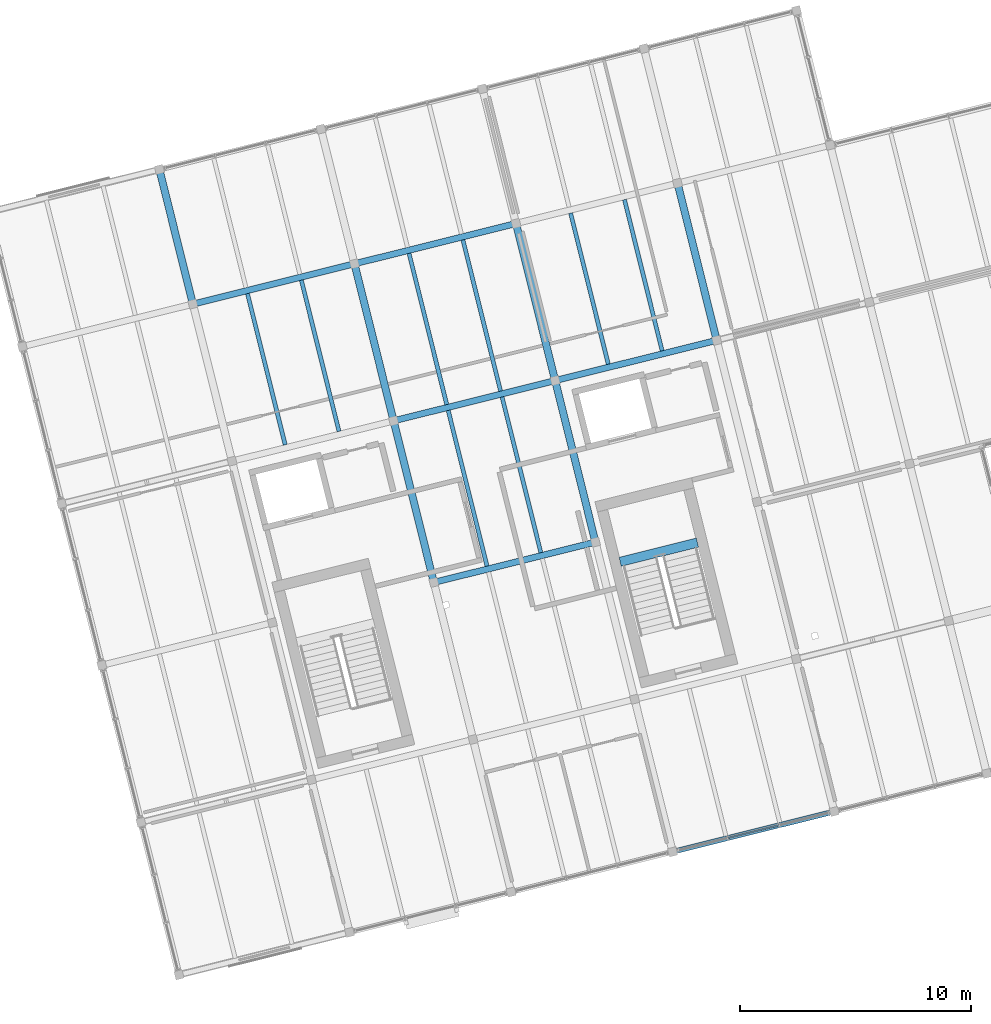
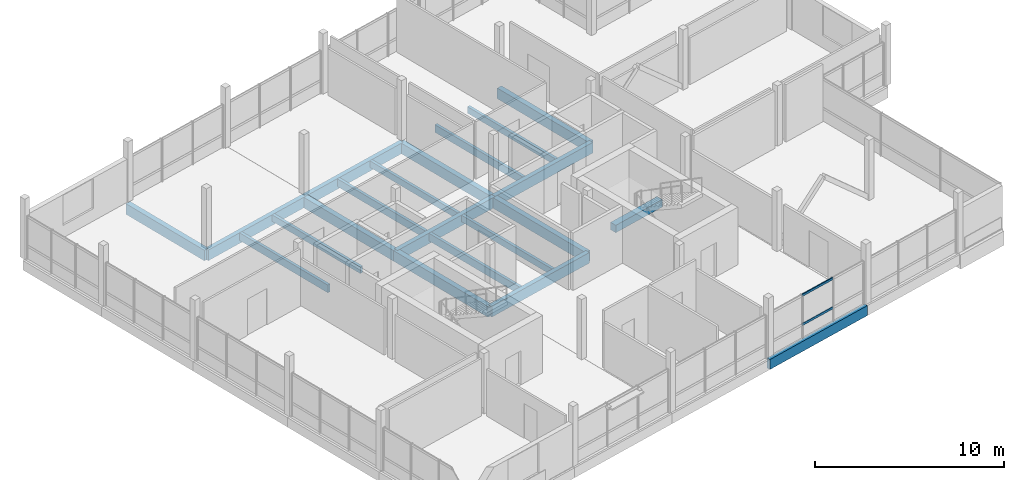
# One storey, part 10 of 28: 21 beams, 2 members, 1 element without a shape of its own.
"""IFC4 building model written with IfcOpenShell, lengths in metres."""

from ifc_helpers import new_model, si_unit, direction, frame, origin, origin_2d, place, context, subcontext, project, spatial, rectangle, hollow_rectangle, extrude, material, layer, layer_set, material_profile, profile_set, type_object, element, aggregate, save


model = new_model("IFC4")

# Units and contexts
model_context = context("Model", 3, precision=1e-05, world=origin(), true_north=direction((0.0, 1.0)))
body_context = subcontext(model_context, "Body", "Model", "MODEL_VIEW")
ifc_project = project(units=[si_unit("LENGTHUNIT", "METRE"), si_unit("AREAUNIT", "SQUARE_METRE"), si_unit("VOLUMEUNIT", "CUBIC_METRE"), si_unit("PLANEANGLEUNIT", "RADIAN"), si_unit("MASSUNIT", "GRAM", prefix="KILO")], contexts=[model_context])

# Site, building, storey
site_placement = place(None, origin())
site = spatial("IfcSite", under=ifc_project, at=site_placement, CompositionType="ELEMENT")
building_placement = place(site_placement, origin())
building = spatial("IfcBuilding", under=site, at=building_placement, Name="Meriwether Solvik Hall", CompositionType="ELEMENT")
storey_placement = place(building_placement, frame((0.0, 0.0, 37.800048828125)))
storey = spatial("IfcBuildingStorey", under=building, at=storey_placement, Name="L09", CompositionType="ELEMENT", Elevation=37.800048828125)

# Beams
ifc_material_1 = material(Name="Glulam Douglas-Fir 24F-V8 GL28h", Category="wood")
ifc_material_profile_1 = material_profile(ifc_material_1, rectangle(XDim=0.221923828125, YDim=0.64501953125, at=origin_2d()), Name="GLB-222X645")
ifc_profile_set_1 = profile_set([ifc_material_profile_1], Name="Glulam Douglas-Fir 24F-V8 GL28h")
beam_type_1 = type_object("IfcBeamType", Name="BM-GL-222X645", PredefinedType="SPANDREL", material=ifc_profile_set_1)
beam_1_placement = place(storey_placement, frame((89.946533203125, 46.522216796875, -0.50244140625), z_axis=(0.970291911955, 0.241937193493, 0.0), x_axis=(-0.241937193493, 0.970291911955, 0.0)))
element("IfcBeam", 1, at=beam_1_placement, inside=storey, type_object=beam_type_1, Name="Tower Girder TA:T4-T5 (L09)", PredefinedType="SPANDREL", context=body_context, shape_type="SweptSolid", body=[
    extrude(rectangle(XDim=0.221923828125, YDim=0.64501953125, at=origin_2d()), origin(), (0.0, 0.0, 1.0), 7.199951171875),
])
ifc_material_2 = material(Name="Glulam Douglas-Fir 24F-V8 GL28h", Category="wood")
ifc_material_profile_2 = material_profile(ifc_material_2, rectangle(XDim=0.27294921875, YDim=0.68505859375, at=origin_2d()), Name="GLB-273X685")
ifc_profile_set_2 = profile_set([ifc_material_profile_2], Name="Glulam Douglas-Fir 24F-V8 GL28h")
beam_type_2 = type_object("IfcBeamType", Name="BM-GL-273X685", PredefinedType="BEAM", material=ifc_profile_set_2)
for number, where, z_axis, x_axis, name in (
    (2, (79.621826171875, 58.17041015625, -0.5224609375), (0.970291911955, 0.241937193493, 0.0), (-0.241937193493, 0.970291911955, 0.0), "Tower Girder TC:T3-T4 (L09)"),
    (3, (77.880126953125, 65.15673828125, -0.5224609375), (0.970299871507, 0.241905269381, 0.0), (-0.241905269381, 0.970299871507, 0.0), "Tower Girder TD:T3-T4 (L09)"),
    (4, (84.8662109375, 66.8984375, -0.5224609375), (0.970291911955, 0.241937193493, 0.0), (-0.241937193493, 0.970291911955, 0.0), "Tower Girder TD:T4-T5 (L09)"),
    (5, (69.200439453125, 70.206787109375, -0.5224609375), (0.970291911955, 0.241937193493, 0.0), (-0.241937193493, 0.970291911955, 0.0), "Tower Girder TE:T2-T3 (L09)"),
    (6, (76.1865234375, 71.94873046875, -0.5224609375), (0.970291911955, 0.241937193493, 0.0), (-0.241937193493, 0.970291911955, 0.0), "Tower Girder TE:T3-T4 (L09)"),
):
    element("IfcBeam", number, at=place(storey_placement, frame(where, z_axis=z_axis, x_axis=x_axis)), inside=storey, type_object=beam_type_2, Name=name, PredefinedType="BEAM", context=body_context, shape_type="SweptSolid", body=[
        extrude(rectangle(XDim=0.27294921875, YDim=0.68505859375, at=origin_2d()), origin(), (0.0, 0.0, 1.0), 7.199951171875),
    ])
ifc_material_3 = material(Name="Glulam Douglas-Fir 24F-V8 GL28h", Category="wood")
ifc_material_profile_3 = material_profile(ifc_material_3, rectangle(XDim=0.31494140625, YDim=0.68505859375, at=origin_2d()), Name="GLB-315X685")
ifc_profile_set_3 = profile_set([ifc_material_profile_3], Name="Glulam Douglas-Fir 24F-V8 GL28h")
beam_type_3 = type_object("IfcBeamType", Name="BM-GL-315X685", PredefinedType="BEAM", material=ifc_profile_set_3)
beam_2_placement = place(storey_placement, frame((69.200439453125, 70.206787109375, -0.5224609375), z_axis=(-0.241903677572, 0.970300268359, 0.0), x_axis=(-0.970300268359, -0.241903677572, 0.0)))
element("IfcBeam", 7, at=beam_2_placement, inside=storey, type_object=beam_type_3, Name="Tower Girder T2:TE-TF (L09)", PredefinedType="BEAM", context=body_context, shape_type="SweptSolid", body=[
    extrude(rectangle(XDim=0.31494140625, YDim=0.68505859375, at=origin_2d()), origin(), (0.0, 0.0, 1.0), 6.0),
])
beam_3_placement = place(storey_placement, frame((79.621826171875, 58.17041015625, -0.5224609375), z_axis=(-0.241897310542, 0.970301855688, 0.0), x_axis=(-0.970301855688, -0.241897310542, 0.0)))
element("IfcBeam", 8, at=beam_3_placement, inside=storey, type_object=beam_type_3, Name="Tower Girder T3:TC-TD (L09)", PredefinedType="BEAM", context=body_context, shape_type="SweptSolid", body=[
    extrude(rectangle(XDim=0.31494140625, YDim=0.68505859375, at=origin_2d()), origin(), (0.0, 0.0, 1.0), 7.2001953125),
])
beam_4_placement = place(storey_placement, frame((77.880126953125, 65.15673828125, -0.5224609375), z_axis=(-0.241944715397, 0.970290036376, 0.0), x_axis=(-0.970290036376, -0.241944715397, 0.0)))
element("IfcBeam", 9, at=beam_4_placement, inside=storey, type_object=beam_type_3, Name="Tower Girder T3:TD-TE (L09)", PredefinedType="BEAM", context=body_context, shape_type="SweptSolid", body=[
    extrude(rectangle(XDim=0.31494140625, YDim=0.68505859375, at=origin_2d()), origin(), (0.0, 0.0, 1.0), 7.0),
])
beam_5_placement = place(storey_placement, frame((86.60791015625, 59.912353515625, -0.5224609375), z_axis=(-0.241905269381, 0.970299871507, 0.0), x_axis=(-0.970299871507, -0.241905269381, 0.0)))
element("IfcBeam", 10, at=beam_5_placement, inside=storey, type_object=beam_type_3, Name="Tower Girder T4:TC-TD (L09)", PredefinedType="BEAM", context=body_context, shape_type="SweptSolid", body=[
    extrude(rectangle(XDim=0.31494140625, YDim=0.68505859375, at=origin_2d()), origin(), (0.0, 0.0, 1.0), 7.199951171875),
])
beam_6_placement = place(storey_placement, frame((84.8662109375, 66.8984375, -0.5224609375), z_axis=(-0.241936527961, 0.970292077901, 0.0), x_axis=(-0.970292077901, -0.241936527961, 0.0)))
element("IfcBeam", 11, at=beam_6_placement, inside=storey, type_object=beam_type_3, Name="Tower Girder T4:TD-TE (L09)", PredefinedType="BEAM", context=body_context, shape_type="SweptSolid", body=[
    extrude(rectangle(XDim=0.31494140625, YDim=0.68505859375, at=origin_2d()), origin(), (0.0, 0.0, 1.0), 7.000244140625),
])
beam_7_placement = place(storey_placement, frame((91.852294921875, 68.640380859375, -0.5224609375), z_axis=(-0.241911879182, 0.970298223594, 0.0), x_axis=(-0.970298223594, -0.241911879182, 0.0)))
element("IfcBeam", 12, at=beam_7_placement, inside=storey, type_object=beam_type_3, Name="Tower Girder T5:TD-TE (L09)", PredefinedType="BEAM", context=body_context, shape_type="SweptSolid", body=[
    extrude(rectangle(XDim=0.31494140625, YDim=0.68505859375, at=origin_2d()), origin(), (0.0, 0.0, 1.0), 7.0),
])
ifc_material_4 = material(Name="Concrete C40/50", Category="concrete")
ifc_material_profile_4 = material_profile(ifc_material_4, rectangle(XDim=0.39990234375, YDim=0.47998046875, at=origin_2d()), Name="RCB-400X480")
ifc_profile_set_4 = profile_set([ifc_material_profile_4], Name="Concrete C40/50")
beam_type_4 = type_object("IfcBeamType", Name="BM-LND-RC-400X480", PredefinedType="BEAM", material=ifc_profile_set_4)
beam_8_placement = place(storey_placement, frame((87.67578125, 59.060302734375, 1.510009765625), z_axis=(0.970292601873, 0.24193442655, 0.0), x_axis=(-0.24193442655, 0.970292601873, 0.0)))
element("IfcBeam", 13, at=beam_8_placement, inside=storey, type_object=beam_type_4, Name="Stair ST-02 Half-Landing Header Beam (L09)", PredefinedType="BEAM", context=body_context, shape_type="SweptSolid", body=[
    extrude(rectangle(XDim=0.39990234375, YDim=0.47998046875, at=origin_2d()), origin(), (0.0, 0.0, 1.0), 3.440185546875),
])

# Curtain wall, members
ifc_material_5 = material(Name="Thermally Broken Anodised Aluminium 6063-T6 and Low-E Glass", Category="aluminium")
ifc_layer = layer(ifc_material_5, 0.179931640625)
ifc_layer_set = layer_set([ifc_layer], Name="Thermally Broken Anodised Aluminium 6063-T6 and Low-E Glass")
curtain_wall_type = type_object("IfcCurtainWallType", Name="CW-UNIT-C", PredefinedType="USERDEFINED", material=ifc_layer_set)
curtain_wall_placement = place(storey_placement, origin())
curtain_wall = element("IfcCurtainWall", 14, at=curtain_wall_placement, inside=storey, type_object=curtain_wall_type, Name="Curtain Wall E0_B3 (L09)", ObjectType="UNITISED CURTAIN WALL", PredefinedType="USERDEFINED")
ifc_material_6 = material(Name="Anodised Aluminium 6063-T6", Category="aluminium")
ifc_material_profile_5 = material_profile(ifc_material_6, hollow_rectangle(XDim=0.06494140625, YDim=0.139892578125, WallThickness=0.00439453125, at=origin_2d()), Name="CWT-65X140")
ifc_profile_set_5 = profile_set([ifc_material_profile_5], Name="Anodised Aluminium 6063-T6")
member_type = type_object("IfcMemberType", Name="CW-TRN-65X140", PredefinedType="USERDEFINED", material=ifc_profile_set_5)
member_1_placement = place(storey_placement, frame((94.541015625, 47.667724609375, 0.8369140625), z_axis=(-0.970313054834, -0.241852383943, 0.0), x_axis=(0.241852383943, -0.970313054834, 0.0)))
member_1 = element("IfcMember", 15, at=member_1_placement, type_object=member_type, Name="Curtain Wall Transom 2-sill", ObjectType="TRANSOM", PredefinedType="USERDEFINED", context=body_context, shape_type="SweptSolid", body=[
    extrude(hollow_rectangle(XDim=0.06494140625, YDim=0.139892578125, WallThickness=0.00439453125, at=origin_2d()), origin(), (0.0, 0.0, 1.0), 2.270263671875),
])
member_2_placement = place(storey_placement, frame((94.541015625, 47.667724609375, 2.72998046875), z_axis=(-0.970313054834, -0.241852383943, 0.0), x_axis=(0.241852383943, -0.970313054834, 0.0)))
member_2 = element("IfcMember", 16, at=member_2_placement, type_object=member_type, Name="Curtain Wall Transom 2-head", ObjectType="TRANSOM", PredefinedType="USERDEFINED", context=body_context, shape_type="SweptSolid", body=[
    extrude(hollow_rectangle(XDim=0.06494140625, YDim=0.139892578125, WallThickness=0.00439453125, at=origin_2d()), origin(), (0.0, 0.0, 1.0), 2.270263671875),
])
aggregate(curtain_wall, [member_1, member_2])

# Beams
ifc_material_7 = material(Name="Glulam Douglas-Fir 24F-V8 GL28h", Category="wood")
ifc_material_profile_6 = material_profile(ifc_material_7, rectangle(XDim=0.175048828125, YDim=0.419921875, at=origin_2d()), Name="GLJ-175X420")
ifc_profile_set_6 = profile_set([ifc_material_profile_6], Name="Glulam Douglas-Fir 24F-V8 GL28h")
beam_type_5 = type_object("IfcBeamType", Name="JST-GL-175X420", PredefinedType="JOIST", material=ifc_profile_set_6)
beam_9_placement = place(storey_placement, frame((75.51953125, 64.70361328125, -0.39013671875), z_axis=(-0.241930176813, 0.9702936615, 0.0), x_axis=(-0.9702936615, -0.241930176813, 0.0)))
element("IfcBeam", 17, at=beam_9_placement, inside=storey, type_object=beam_type_5, Name="Glulam Floor Joist T2/TD-J2 (L09)", PredefinedType="JOIST", context=body_context, shape_type="SweptSolid", body=[
    extrude(rectangle(XDim=0.175048828125, YDim=0.419921875, at=origin_2d()), origin(), (0.0, 0.0, 1.0), 6.737060546875),
])
beam_10_placement = place(storey_placement, frame((84.24755859375, 59.459228515625, -0.39013671875), z_axis=(-0.241922788949, 0.970295503539, 0.0), x_axis=(-0.970295503539, -0.241922788949, 0.0)))
element("IfcBeam", 18, at=beam_10_placement, inside=storey, type_object=beam_type_5, Name="Glulam Floor Joist T3/TC-J2 (L09)", PredefinedType="JOIST", context=body_context, shape_type="SweptSolid", body=[
    extrude(rectangle(XDim=0.175048828125, YDim=0.419921875, at=origin_2d()), origin(), (0.0, 0.0, 1.0), 6.93701171875),
])
for number, where, z_axis, x_axis, name in (
    (19, (82.505615234375, 66.445556640625, -0.39013671875), (-0.241930176813, 0.9702936615, 0.0), (-0.9702936615, -0.241930176813, 0.0), "Glulam Floor Joist T3/TD-J2 (L09)"),
    (20, (89.49169921875, 68.187255859375, -0.39013671875), (-0.241930176813, 0.9702936615, 0.0), (-0.9702936615, -0.241930176813, 0.0), "Glulam Floor Joist T4/TD-J2 (L09)"),
):
    element("IfcBeam", number, at=place(storey_placement, frame(where, z_axis=z_axis, x_axis=x_axis)), inside=storey, type_object=beam_type_5, Name=name, PredefinedType="JOIST", context=body_context, shape_type="SweptSolid", body=[
        extrude(rectangle(XDim=0.175048828125, YDim=0.419921875, at=origin_2d()), origin(), (0.0, 0.0, 1.0), 6.737060546875),
    ])
ifc_material_8 = material(Name="Glulam Douglas-Fir 24F-V8 GL28h", Category="wood")
ifc_material_profile_7 = material_profile(ifc_material_8, rectangle(XDim=0.175048828125, YDim=0.4951171875, at=origin_2d()), Name="GLJ-175X495")
ifc_profile_set_7 = profile_set([ifc_material_profile_7], Name="Glulam Douglas-Fir 24F-V8 GL28h")
beam_type_6 = type_object("IfcBeamType", Name="JST-GL-175X495", PredefinedType="JOIST", material=ifc_profile_set_7)
beam_11_placement = place(storey_placement, frame((73.190673828125, 64.123046875, -0.427490234375), z_axis=(-0.241896058636, 0.970302167789, 0.0), x_axis=(-0.970302167789, -0.241896058636, 0.0)))
element("IfcBeam", 21, at=beam_11_placement, inside=storey, type_object=beam_type_6, Name="Glulam Floor Joist T2/TD-J1 (L09)", PredefinedType="JOIST", context=body_context, shape_type="SweptSolid", body=[
    extrude(rectangle(XDim=0.175048828125, YDim=0.4951171875, at=origin_2d()), origin(), (0.0, 0.0, 1.0), 6.73681640625),
])
beam_12_placement = place(storey_placement, frame((81.918701171875, 58.878662109375, -0.427490234375), z_axis=(-0.241922788949, 0.970295503539, 0.0), x_axis=(-0.970295503539, -0.241922788949, 0.0)))
element("IfcBeam", 22, at=beam_12_placement, inside=storey, type_object=beam_type_6, Name="Glulam Floor Joist T3/TC-J1 (L09)", PredefinedType="JOIST", context=body_context, shape_type="SweptSolid", body=[
    extrude(rectangle(XDim=0.175048828125, YDim=0.4951171875, at=origin_2d()), origin(), (0.0, 0.0, 1.0), 6.93701171875),
])
beam_13_placement = place(storey_placement, frame((80.177001953125, 65.86474609375, -0.427490234375), z_axis=(-0.241921670289, 0.970295782452, 0.0), x_axis=(-0.970295782452, -0.241921670289, 0.0)))
element("IfcBeam", 23, at=beam_13_placement, inside=storey, type_object=beam_type_6, Name="Glulam Floor Joist T3/TD-J1 (L09)", PredefinedType="JOIST", context=body_context, shape_type="SweptSolid", body=[
    extrude(rectangle(XDim=0.175048828125, YDim=0.4951171875, at=origin_2d()), origin(), (0.0, 0.0, 1.0), 6.7373046875),
])
beam_14_placement = place(storey_placement, frame((87.1630859375, 67.606689453125, -0.427490234375), z_axis=(-0.241930176813, 0.9702936615, 0.0), x_axis=(-0.9702936615, -0.241930176813, 0.0)))
element("IfcBeam", 24, at=beam_14_placement, inside=storey, type_object=beam_type_6, Name="Glulam Floor Joist T4/TD-J1 (L09)", PredefinedType="JOIST", context=body_context, shape_type="SweptSolid", body=[
    extrude(rectangle(XDim=0.175048828125, YDim=0.4951171875, at=origin_2d()), origin(), (0.0, 0.0, 1.0), 6.737060546875),
])

save(model, "model.ifc")
